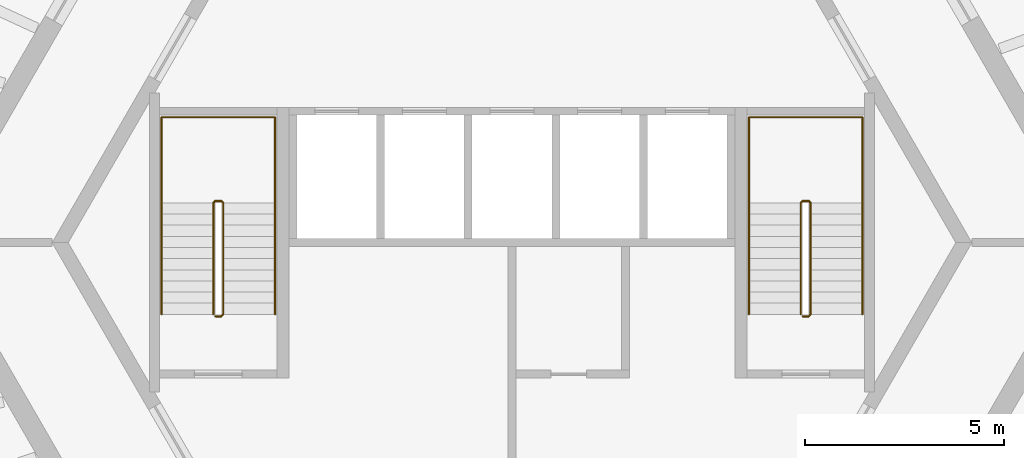
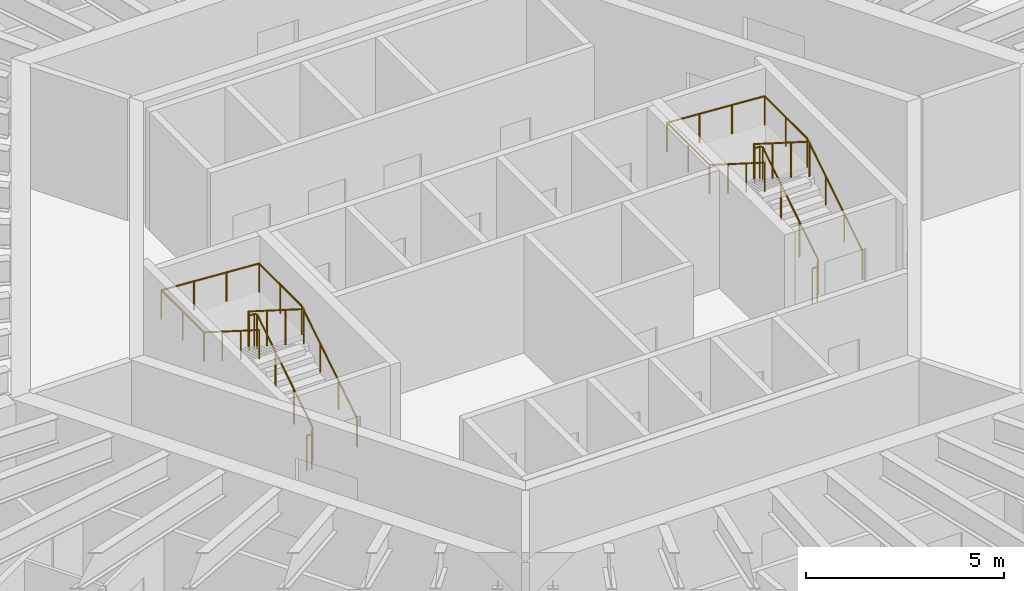
# One storey, part 10 of 10: 4 railings.
"""IFC4 building model written with IfcOpenShell, lengths in metres."""

import ifcopenshell
import ifcopenshell.guid

model = None  # the IFC model being written
_history = None  # IfcOwnerHistory: only IFC2X3 demands one
_inside = {}  # id of a spatial element -> (the spatial element, [elements in it])
_under = {}  # id of a project, library or spatial element -> (it, [spatial elements below it])
_declared = {}  # id of a project -> (the project, [libraries it declares])
_typed = {}  # id of a type object -> (the type object, [elements of that type])
_made_of = {}  # id of a material, layer set ... -> (it, [elements and type objects made of it])


def new_model(schema):
    """Start an empty IFC model of exactly this schema.

    Asked for "IFC4X3", IfcOpenShell would pick the latest addendum, in which some entities
    have other attributes; the version numbers below select the first issue.
    IFC2X3 requires an IfcOwnerHistory on every rooted entity: one is made here for all.
    """
    global model, _history
    if schema == "IFC4X3":
        model = ifcopenshell.file(schema_version=(4, 3, 0, 0))
    else:
        model = ifcopenshell.file(schema=schema)
    _inside.clear()
    _under.clear()
    _declared.clear()
    _typed.clear()
    _made_of.clear()
    _history = None
    if model.schema == "IFC2X3":
        org = make("IfcOrganization", Name="unknown")
        user = make(
            "IfcPersonAndOrganization",
            ThePerson=make("IfcPerson", FamilyName="unknown"),
            TheOrganization=org,
        )
        app = make(
            "IfcApplication",
            ApplicationDeveloper=org,
            Version="unknown",
            ApplicationFullName="unknown",
            ApplicationIdentifier="unknown",
        )
        _history = make(
            "IfcOwnerHistory",
            OwningUser=user,
            OwningApplication=app,
            ChangeAction="ADDED",
            CreationDate=0,
        )
    return model


def make(cls, **values):
    """One entity of the class cls with the attributes given. An attribute that is None is left unset."""
    return model.create_entity(
        cls, **{name: value for name, value in values.items() if value is not None}
    )


def rooted(cls, **values):
    """An entity with a GlobalId (a new one), such as an element, a storey or a relation."""
    return make(cls, GlobalId=ifcopenshell.guid.new(), OwnerHistory=_history, **values)


def si_unit(unit_type, name, prefix=None):
    """IfcSIUnit, for example si_unit("LENGTHUNIT", "METRE", prefix="MILLI")."""
    return make("IfcSIUnit", UnitType=unit_type, Prefix=prefix, Name=name)


def assignment(units):
    """IfcUnitAssignment: the units of a project."""
    return None if units is None else make("IfcUnitAssignment", Units=units)


def point(xyz):
    """IfcCartesianPoint."""
    return None if xyz is None else make("IfcCartesianPoint", Coordinates=xyz)


def direction(xyz):
    """IfcDirection."""
    return None if xyz is None else make("IfcDirection", DirectionRatios=xyz)


def frame(location, z_axis=None, x_axis=None):
    """IfcAxis2Placement3D, a coordinate frame: its origin and axes. An axis left out is left unset."""
    return make(
        "IfcAxis2Placement3D",
        Location=point(location),
        Axis=direction(z_axis),
        RefDirection=direction(x_axis),
    )


def frame_2d(location, x_axis=None):
    """IfcAxis2Placement2D, a coordinate frame in the plane: its origin and x axis."""
    return make(
        "IfcAxis2Placement2D", Location=point(location), RefDirection=direction(x_axis)
    )


def origin():
    """The frame at (0, 0, 0) with its axes left unset."""
    return frame((0.0, 0.0, 0.0))


def origin_2d():
    """The frame at (0, 0) in the plane with its x axis left unset."""
    return frame_2d((0.0, 0.0))


def place(relative_to, where):
    """IfcLocalPlacement: puts the frame where relative to a parent placement (None: the world)."""
    return make(
        "IfcLocalPlacement", PlacementRelTo=relative_to, RelativePlacement=where
    )


def context(
    kind, dimensions, precision=None, world=None, true_north=None, identifier=None
):
    """IfcGeometricRepresentationContext, for example the 3D "Model" context."""
    return make(
        "IfcGeometricRepresentationContext",
        ContextIdentifier=identifier,
        ContextType=kind,
        CoordinateSpaceDimension=dimensions,
        Precision=precision,
        WorldCoordinateSystem=world,
        TrueNorth=true_north,
    )


def subcontext(parent, identifier, kind, view, scale=None):
    """IfcGeometricRepresentationSubContext, for example "Body" below "Model"."""
    return make(
        "IfcGeometricRepresentationSubContext",
        ContextIdentifier=identifier,
        ContextType=kind,
        ParentContext=parent,
        TargetScale=scale,
        TargetView=view,
    )


def project(units=None, contexts=None):
    """IfcProject with its units and contexts."""
    return rooted(
        "IfcProject",
        Name="project",
        RepresentationContexts=contexts,
        UnitsInContext=assignment(units),
    )


def spatial(cls, under=None, at=None, **own):
    """A site, building, storey or space (cls), placed at a placement, below another one or the project."""
    s = rooted(cls, ObjectPlacement=at, **own)
    if under is not None:
        _under.setdefault(under.id(), (under, []))[1].append(s)
    return s


def profile(cls, at=None, kind="AREA", **sizes):
    """A parametric profile (cls). Its sizes go by their IFC names, for example OverallWidth=200.0."""
    return make(cls, ProfileType=kind, Position=at, **sizes)


def circle(**sizes):
    """IfcCircleProfileDef."""
    return profile("IfcCircleProfileDef", **sizes)


def extrude(swept, where, along, depth):
    """IfcExtrudedAreaSolid: the profile swept, set in the frame where, extruded along a direction by depth."""
    return make(
        "IfcExtrudedAreaSolid",
        SweptArea=swept,
        Position=where,
        ExtrudedDirection=direction(along),
        Depth=depth,
    )


def shape(context_of_items, identifier, shape_type, items):
    """IfcShapeRepresentation: the items that make up one representation, for example the "Body"."""
    return make(
        "IfcShapeRepresentation",
        ContextOfItems=context_of_items,
        RepresentationIdentifier=identifier,
        RepresentationType=shape_type,
        Items=items,
    )


def material(Name=None, Category=None):
    """IfcMaterial."""
    return make("IfcMaterial", Name=Name, Category=Category)


def made_of(thing, what):
    """Note that an element or type object is made of a material, layer set ...; save() writes the relation."""
    if what is not None:
        _made_of.setdefault(what.id(), (what, []))[1].append(thing)
    return thing


def type_object(cls, material=None, **own):
    """A type object (cls), such as IfcWallType, which elements share."""
    return made_of(rooted(cls, **own), material)


def element(
    cls,
    number,
    at=None,
    inside=None,
    cuts=None,
    type_object=None,
    material=None,
    context=None,
    identifier="Body",
    shape_type=None,
    held_by="IfcProductDefinitionShape",
    body=None,
    shapes=None,
    **own,
):
    """One element of the class cls, such as IfcWall. Its Tag is "e" and its number.

    at: its placement. inside: the storey or other place that contains it. cuts: it is an
    opening in that element (IfcRelVoidsElement). A single representation is given by context,
    identifier, shape_type and body (its items); several are given by shapes. held_by: the class
    of the entity that holds the representations. save() writes the other relations.
    """
    e = rooted(cls, Tag="e%d" % number, ObjectPlacement=at, **own)
    if body is not None:
        shapes = [shape(context, identifier, shape_type, body)]
    if shapes is not None:
        e.Representation = make(held_by, Representations=shapes)
    if inside is not None:
        _inside.setdefault(inside.id(), (inside, []))[1].append(e)
    if cuts is not None:
        rooted(
            "IfcRelVoidsElement", RelatingBuildingElement=cuts, RelatedOpeningElement=e
        )
    if type_object is not None:
        _typed.setdefault(type_object.id(), (type_object, []))[1].append(e)
    return made_of(e, material)


def aggregate(whole, parts):
    """IfcRelAggregates: a whole, such as a stair, and the parts it consists of."""
    return rooted("IfcRelAggregates", RelatingObject=whole, RelatedObjects=parts)


def save(model, path):
    """Write the relations noted so far, then the file.

    IfcRelAggregates (storeys below a building ...), IfcRelContainedInSpatialStructure (elements
    in a storey), IfcRelDefinesByType, IfcRelAssociatesMaterial and IfcRelDeclares: one each for
    every whole, place, type object, material and project.
    """
    for whole, parts in _under.values():
        aggregate(whole, parts)
    for where, things in _inside.values():
        rooted(
            "IfcRelContainedInSpatialStructure",
            RelatedElements=things,
            RelatingStructure=where,
        )
    for kind, things in _typed.values():
        rooted("IfcRelDefinesByType", RelatedObjects=things, RelatingType=kind)
    for what, things in _made_of.values():
        rooted("IfcRelAssociatesMaterial", RelatedObjects=things, RelatingMaterial=what)
    for by, libraries in _declared.values():
        rooted("IfcRelDeclares", RelatingContext=by, RelatedDefinitions=libraries)
    model.write(path)


model = new_model("IFC4")

# Units and contexts
model_context = context("Model", 3, precision=1e-05, world=origin(), true_north=direction((0.0, 1.0)))
body_context = subcontext(model_context, "Body", "Model", "MODEL_VIEW")
ifc_project = project(units=[si_unit("LENGTHUNIT", "METRE"), si_unit("AREAUNIT", "SQUARE_METRE"), si_unit("VOLUMEUNIT", "CUBIC_METRE"), si_unit("PLANEANGLEUNIT", "RADIAN"), si_unit("MASSUNIT", "GRAM", prefix="KILO")], contexts=[model_context])

# Site, building, storey
site_placement = place(None, origin())
site = spatial("IfcSite", under=ifc_project, at=site_placement, CompositionType="ELEMENT")
building_placement = place(site_placement, origin())
building = spatial("IfcBuilding", under=site, at=building_placement, Name="Tarnside Tower", CompositionType="ELEMENT")
storey_placement = place(building_placement, frame((0.0, 0.0, 203.39990234375)))
storey = spatial("IfcBuildingStorey", under=building, at=storey_placement, Name="L48", CompositionType="ELEMENT", Elevation=203.39990234375)

# Railings
ifc_material = material(Name="Stainless steel", Category="steel")
railing_type_1 = type_object("IfcRailingType", Name="Stair guard 1100", PredefinedType="GUARDRAIL", material=ifc_material)
railing_1_placement = place(storey_placement, frame((7.300048828125, -1.85009765625, 0.0)))
element("IfcRailing", 1, at=railing_1_placement, inside=storey, type_object=railing_type_1, Name="L48 ST1 stair guard 1", PredefinedType="GUARDRAIL", context=body_context, shape_type="SweptSolid", body=[
    extrude(circle(Radius=0.02392578125, at=origin_2d()), frame((0.0, 0.0, 1.076171875), z_axis=(1.0, 0.0, 0.0), x_axis=(0.0, 1.0, 0.0)), (0.0, 0.0, 1.0), 0.14990234375),
    extrude(circle(Radius=0.02392578125, at=origin_2d()), frame((0.14990234375, 0.0, 1.076171875), z_axis=(0.261922500866, 0.261922500866, 0.928866625022), x_axis=(-0.707106781187, 0.707106781187, 0.0)), (0.0, 0.0, 1.0), 0.191162109375),
    extrude(circle(Radius=0.02392578125, at=origin_2d()), frame((0.199951171875, 0.050048828125, 1.25341796875), z_axis=(0.0, 0.844908973607, 0.534910110503), x_axis=(-1.0, 0.0, 0.0)), (0.0, 0.0, 1.0), 3.31396484375),
    extrude(circle(Radius=0.02392578125, at=origin_2d()), frame((0.199951171875, 2.85009765625, 3.0263671875), z_axis=(-0.707106781187, 0.707106781187, 0.0), x_axis=(-0.707106781187, -0.707106781187, 0.0)), (0.0, 0.0, 1.0), 0.07080078125),
    extrude(circle(Radius=0.02392578125, at=origin_2d()), frame((0.14990234375, 2.900146484375, 3.0263671875), z_axis=(-1.0, 0.0, 0.0), x_axis=(0.0, -1.0, 0.0)), (0.0, 0.0, 1.0), 0.14990234375),
    extrude(circle(Radius=0.02392578125, at=origin_2d()), frame((0.0, 2.900146484375, 3.0263671875), z_axis=(-0.262233686654, -0.262233686654, 0.928691007369), x_axis=(0.707106781187, -0.707106781187, 0.0)), (0.0, 0.0, 1.0), 0.19091796875),
    extrude(circle(Radius=0.02392578125, at=origin_2d()), frame((-0.050048828125, 2.85009765625, 3.20361328125), z_axis=(0.0, -0.844908973607, 0.534910110503), x_axis=(1.0, 0.0, 0.0)), (0.0, 0.0, 1.0), 3.31396484375),
    extrude(circle(Radius=0.02099609375, at=origin_2d()), origin(), (0.0, 0.0, 1.0), 1.052001953125),
    extrude(circle(Radius=0.02099609375, at=origin_2d()), frame((0.14990234375, 0.0, 0.0)), (0.0, 0.0, 1.0), 1.052001953125),
    extrude(circle(Radius=0.02099609375, at=origin_2d()), frame((0.199951171875, 0.050048828125, 0.177490234375)), (0.0, 0.0, 1.0), 1.052001953125),
    extrude(circle(Radius=0.02099609375, at=origin_2d()), frame((0.199951171875, 0.9833984375, 0.768310546875)), (0.0, 0.0, 1.0), 1.052001953125),
    extrude(circle(Radius=0.02099609375, at=origin_2d()), frame((0.199951171875, 1.916748046875, 1.359375)), (0.0, 0.0, 1.0), 1.052001953125),
    extrude(circle(Radius=0.02099609375, at=origin_2d()), frame((0.199951171875, 2.85009765625, 1.9501953125)), (0.0, 0.0, 1.0), 1.052001953125),
    extrude(circle(Radius=0.02099609375, at=origin_2d()), frame((0.14990234375, 2.900146484375, 1.9501953125)), (0.0, 0.0, 1.0), 1.052001953125),
    extrude(circle(Radius=0.02099609375, at=origin_2d()), frame((0.0, 2.900146484375, 1.9501953125)), (0.0, 0.0, 1.0), 1.052001953125),
    extrude(circle(Radius=0.02099609375, at=origin_2d()), frame((-0.050048828125, 2.85009765625, 2.12744140625)), (0.0, 0.0, 1.0), 1.052001953125),
    extrude(circle(Radius=0.02099609375, at=origin_2d()), frame((-0.050048828125, 1.916748046875, 2.71826171875)), (0.0, 0.0, 1.0), 1.052001953125),
    extrude(circle(Radius=0.02099609375, at=origin_2d()), frame((-0.050048828125, 0.9833984375, 3.309326171875)), (0.0, 0.0, 1.0), 1.052001953125),
    extrude(circle(Radius=0.02099609375, at=origin_2d()), frame((-0.050048828125, 0.050048828125, 3.900146484375)), (0.0, 0.0, 1.0), 1.052001953125),
])
railing_2_placement = place(storey_placement, frame((-7.449951171875, -1.85009765625, 0.0)))
element("IfcRailing", 2, at=railing_2_placement, inside=storey, type_object=railing_type_1, Name="L48 ST2 stair guard 1", PredefinedType="GUARDRAIL", context=body_context, shape_type="SweptSolid", body=[
    extrude(circle(Radius=0.02392578125, at=origin_2d()), frame((0.0, 0.0, 1.076171875), z_axis=(1.0, 0.0, 0.0), x_axis=(0.0, 1.0, 0.0)), (0.0, 0.0, 1.0), 0.14990234375),
    extrude(circle(Radius=0.02392578125, at=origin_2d()), frame((0.14990234375, 0.0, 1.076171875), z_axis=(0.261922500866, 0.261922500866, 0.928866625022), x_axis=(-0.707106781187, 0.707106781187, 0.0)), (0.0, 0.0, 1.0), 0.191162109375),
    extrude(circle(Radius=0.02392578125, at=origin_2d()), frame((0.199951171875, 0.050048828125, 1.25341796875), z_axis=(0.0, 0.844908973607, 0.534910110503), x_axis=(-1.0, 0.0, 0.0)), (0.0, 0.0, 1.0), 3.31396484375),
    extrude(circle(Radius=0.02392578125, at=origin_2d()), frame((0.199951171875, 2.85009765625, 3.0263671875), z_axis=(-0.707106781187, 0.707106781187, 0.0), x_axis=(-0.707106781187, -0.707106781187, 0.0)), (0.0, 0.0, 1.0), 0.07080078125),
    extrude(circle(Radius=0.02392578125, at=origin_2d()), frame((0.14990234375, 2.900146484375, 3.0263671875), z_axis=(-1.0, 0.0, 0.0), x_axis=(0.0, -1.0, 0.0)), (0.0, 0.0, 1.0), 0.14990234375),
    extrude(circle(Radius=0.02392578125, at=origin_2d()), frame((0.0, 2.900146484375, 3.0263671875), z_axis=(-0.262233686654, -0.262233686654, 0.928691007369), x_axis=(0.707106781187, -0.707106781187, 0.0)), (0.0, 0.0, 1.0), 0.19091796875),
    extrude(circle(Radius=0.02392578125, at=origin_2d()), frame((-0.050048828125, 2.85009765625, 3.20361328125), z_axis=(0.0, -0.844908973607, 0.534910110503), x_axis=(1.0, 0.0, 0.0)), (0.0, 0.0, 1.0), 3.31396484375),
    extrude(circle(Radius=0.02099609375, at=origin_2d()), origin(), (0.0, 0.0, 1.0), 1.052001953125),
    extrude(circle(Radius=0.02099609375, at=origin_2d()), frame((0.14990234375, 0.0, 0.0)), (0.0, 0.0, 1.0), 1.052001953125),
    extrude(circle(Radius=0.02099609375, at=origin_2d()), frame((0.199951171875, 0.050048828125, 0.177490234375)), (0.0, 0.0, 1.0), 1.052001953125),
    extrude(circle(Radius=0.02099609375, at=origin_2d()), frame((0.199951171875, 0.9833984375, 0.768310546875)), (0.0, 0.0, 1.0), 1.052001953125),
    extrude(circle(Radius=0.02099609375, at=origin_2d()), frame((0.199951171875, 1.916748046875, 1.359375)), (0.0, 0.0, 1.0), 1.052001953125),
    extrude(circle(Radius=0.02099609375, at=origin_2d()), frame((0.199951171875, 2.85009765625, 1.9501953125)), (0.0, 0.0, 1.0), 1.052001953125),
    extrude(circle(Radius=0.02099609375, at=origin_2d()), frame((0.14990234375, 2.900146484375, 1.9501953125)), (0.0, 0.0, 1.0), 1.052001953125),
    extrude(circle(Radius=0.02099609375, at=origin_2d()), frame((0.0, 2.900146484375, 1.9501953125)), (0.0, 0.0, 1.0), 1.052001953125),
    extrude(circle(Radius=0.02099609375, at=origin_2d()), frame((-0.050048828125, 2.85009765625, 2.12744140625)), (0.0, 0.0, 1.0), 1.052001953125),
    extrude(circle(Radius=0.02099609375, at=origin_2d()), frame((-0.050048828125, 1.916748046875, 2.71826171875)), (0.0, 0.0, 1.0), 1.052001953125),
    extrude(circle(Radius=0.02099609375, at=origin_2d()), frame((-0.050048828125, 0.9833984375, 3.309326171875)), (0.0, 0.0, 1.0), 1.052001953125),
    extrude(circle(Radius=0.02099609375, at=origin_2d()), frame((-0.050048828125, 0.050048828125, 3.900146484375)), (0.0, 0.0, 1.0), 1.052001953125),
])
railing_type_2 = type_object("IfcRailingType", Name="Stair handrail 900", PredefinedType="HANDRAIL", material=ifc_material)
railing_3_placement = place(storey_placement, frame((8.800048828125, -1.800048828125, 0.177490234375)))
element("IfcRailing", 3, at=railing_3_placement, inside=storey, type_object=railing_type_2, Name="L48 ST1 stair handrail 1", PredefinedType="HANDRAIL", context=body_context, shape_type="SweptSolid", body=[
    extrude(circle(Radius=0.02392578125, at=origin_2d()), frame((0.0, 0.0, 0.8857421875), z_axis=(0.0, 0.844908973607, 0.534910110503), x_axis=(-1.0, 0.0, 0.0)), (0.0, 0.0, 1.0), 3.31396484375),
    extrude(circle(Radius=0.02392578125, at=origin_2d()), frame((0.0, 2.800048828125, 2.65869140625), z_axis=(0.0, 1.0, 0.0), x_axis=(-1.0, 0.0, 0.0)), (0.0, 0.0, 1.0), 2.14990234375),
    extrude(circle(Radius=0.02392578125, at=origin_2d()), frame((0.0, 4.949951171875, 2.65869140625), z_axis=(-0.998071825391, 0.0, 0.06206956872), x_axis=(0.0, -1.0, 0.0)), (0.0, 0.0, 1.0), 2.855712890625),
    extrude(circle(Radius=0.02392578125, at=origin_2d()), frame((-2.85009765625, 4.949951171875, 2.8359375), z_axis=(0.0, -1.0, 0.0), x_axis=(1.0, 0.0, 0.0)), (0.0, 0.0, 1.0), 2.14990234375),
    extrude(circle(Radius=0.02392578125, at=origin_2d()), frame((-2.85009765625, 2.800048828125, 2.8359375), z_axis=(0.0, -0.844908973607, 0.534910110503), x_axis=(1.0, 0.0, 0.0)), (0.0, 0.0, 1.0), 3.31396484375),
    extrude(circle(Radius=0.02099609375, at=origin_2d()), origin(), (0.0, 0.0, 1.0), 0.86181640625),
    extrude(circle(Radius=0.02099609375, at=origin_2d()), frame((0.0, 0.933349609375, 0.5908203125)), (0.0, 0.0, 1.0), 0.86181640625),
    extrude(circle(Radius=0.02099609375, at=origin_2d()), frame((0.0, 1.86669921875, 1.181884765625)), (0.0, 0.0, 1.0), 0.86181640625),
    extrude(circle(Radius=0.02099609375, at=origin_2d()), frame((0.0, 2.800048828125, 1.772705078125)), (0.0, 0.0, 1.0), 0.86181640625),
    extrude(circle(Radius=0.02099609375, at=origin_2d()), frame((0.0, 3.875, 1.772705078125)), (0.0, 0.0, 1.0), 0.86181640625),
    extrude(circle(Radius=0.02099609375, at=origin_2d()), frame((0.0, 4.949951171875, 1.772705078125)), (0.0, 0.0, 1.0), 0.86181640625),
    extrude(circle(Radius=0.02099609375, at=origin_2d()), frame((-0.949951171875, 4.949951171875, 1.831787109375)), (0.0, 0.0, 1.0), 0.86181640625),
    extrude(circle(Radius=0.02099609375, at=origin_2d()), frame((-1.900146484375, 4.949951171875, 1.890869140625)), (0.0, 0.0, 1.0), 0.86181640625),
    extrude(circle(Radius=0.02099609375, at=origin_2d()), frame((-2.85009765625, 4.949951171875, 1.949951171875)), (0.0, 0.0, 1.0), 0.86181640625),
    extrude(circle(Radius=0.02099609375, at=origin_2d()), frame((-2.85009765625, 3.875, 1.949951171875)), (0.0, 0.0, 1.0), 0.86181640625),
    extrude(circle(Radius=0.02099609375, at=origin_2d()), frame((-2.85009765625, 2.800048828125, 1.949951171875)), (0.0, 0.0, 1.0), 0.86181640625),
    extrude(circle(Radius=0.02099609375, at=origin_2d()), frame((-2.85009765625, 1.86669921875, 2.540771484375)), (0.0, 0.0, 1.0), 0.86181640625),
    extrude(circle(Radius=0.02099609375, at=origin_2d()), frame((-2.85009765625, 0.933349609375, 3.1318359375)), (0.0, 0.0, 1.0), 0.86181640625),
    extrude(circle(Radius=0.02099609375, at=origin_2d()), frame((-2.85009765625, 0.0, 3.72265625)), (0.0, 0.0, 1.0), 0.86181640625),
])
railing_4_placement = place(storey_placement, frame((-5.949951171875, -1.800048828125, 0.177490234375)))
element("IfcRailing", 4, at=railing_4_placement, inside=storey, type_object=railing_type_2, Name="L48 ST2 stair handrail 1", PredefinedType="HANDRAIL", context=body_context, shape_type="SweptSolid", body=[
    extrude(circle(Radius=0.02392578125, at=origin_2d()), frame((0.0, 0.0, 0.8857421875), z_axis=(0.0, 0.844908973607, 0.534910110503), x_axis=(-1.0, 0.0, 0.0)), (0.0, 0.0, 1.0), 3.31396484375),
    extrude(circle(Radius=0.02392578125, at=origin_2d()), frame((0.0, 2.800048828125, 2.65869140625), z_axis=(0.0, 1.0, 0.0), x_axis=(-1.0, 0.0, 0.0)), (0.0, 0.0, 1.0), 2.14990234375),
    extrude(circle(Radius=0.02392578125, at=origin_2d()), frame((0.0, 4.949951171875, 2.65869140625), z_axis=(-0.998071825391, 0.0, 0.06206956872), x_axis=(0.0, -1.0, 0.0)), (0.0, 0.0, 1.0), 2.855712890625),
    extrude(circle(Radius=0.02392578125, at=origin_2d()), frame((-2.85009765625, 4.949951171875, 2.8359375), z_axis=(0.0, -1.0, 0.0), x_axis=(1.0, 0.0, 0.0)), (0.0, 0.0, 1.0), 2.14990234375),
    extrude(circle(Radius=0.02392578125, at=origin_2d()), frame((-2.85009765625, 2.800048828125, 2.8359375), z_axis=(0.0, -0.844908973607, 0.534910110503), x_axis=(1.0, 0.0, 0.0)), (0.0, 0.0, 1.0), 3.31396484375),
    extrude(circle(Radius=0.02099609375, at=origin_2d()), origin(), (0.0, 0.0, 1.0), 0.86181640625),
    extrude(circle(Radius=0.02099609375, at=origin_2d()), frame((0.0, 0.933349609375, 0.5908203125)), (0.0, 0.0, 1.0), 0.86181640625),
    extrude(circle(Radius=0.02099609375, at=origin_2d()), frame((0.0, 1.86669921875, 1.181884765625)), (0.0, 0.0, 1.0), 0.86181640625),
    extrude(circle(Radius=0.02099609375, at=origin_2d()), frame((0.0, 2.800048828125, 1.772705078125)), (0.0, 0.0, 1.0), 0.86181640625),
    extrude(circle(Radius=0.02099609375, at=origin_2d()), frame((0.0, 3.875, 1.772705078125)), (0.0, 0.0, 1.0), 0.86181640625),
    extrude(circle(Radius=0.02099609375, at=origin_2d()), frame((0.0, 4.949951171875, 1.772705078125)), (0.0, 0.0, 1.0), 0.86181640625),
    extrude(circle(Radius=0.02099609375, at=origin_2d()), frame((-0.949951171875, 4.949951171875, 1.831787109375)), (0.0, 0.0, 1.0), 0.86181640625),
    extrude(circle(Radius=0.02099609375, at=origin_2d()), frame((-1.900146484375, 4.949951171875, 1.890869140625)), (0.0, 0.0, 1.0), 0.86181640625),
    extrude(circle(Radius=0.02099609375, at=origin_2d()), frame((-2.85009765625, 4.949951171875, 1.949951171875)), (0.0, 0.0, 1.0), 0.86181640625),
    extrude(circle(Radius=0.02099609375, at=origin_2d()), frame((-2.85009765625, 3.875, 1.949951171875)), (0.0, 0.0, 1.0), 0.86181640625),
    extrude(circle(Radius=0.02099609375, at=origin_2d()), frame((-2.85009765625, 2.800048828125, 1.949951171875)), (0.0, 0.0, 1.0), 0.86181640625),
    extrude(circle(Radius=0.02099609375, at=origin_2d()), frame((-2.85009765625, 1.86669921875, 2.540771484375)), (0.0, 0.0, 1.0), 0.86181640625),
    extrude(circle(Radius=0.02099609375, at=origin_2d()), frame((-2.85009765625, 0.933349609375, 3.1318359375)), (0.0, 0.0, 1.0), 0.86181640625),
    extrude(circle(Radius=0.02099609375, at=origin_2d()), frame((-2.85009765625, 0.0, 3.72265625)), (0.0, 0.0, 1.0), 0.86181640625),
])

save(model, "model.ifc")
